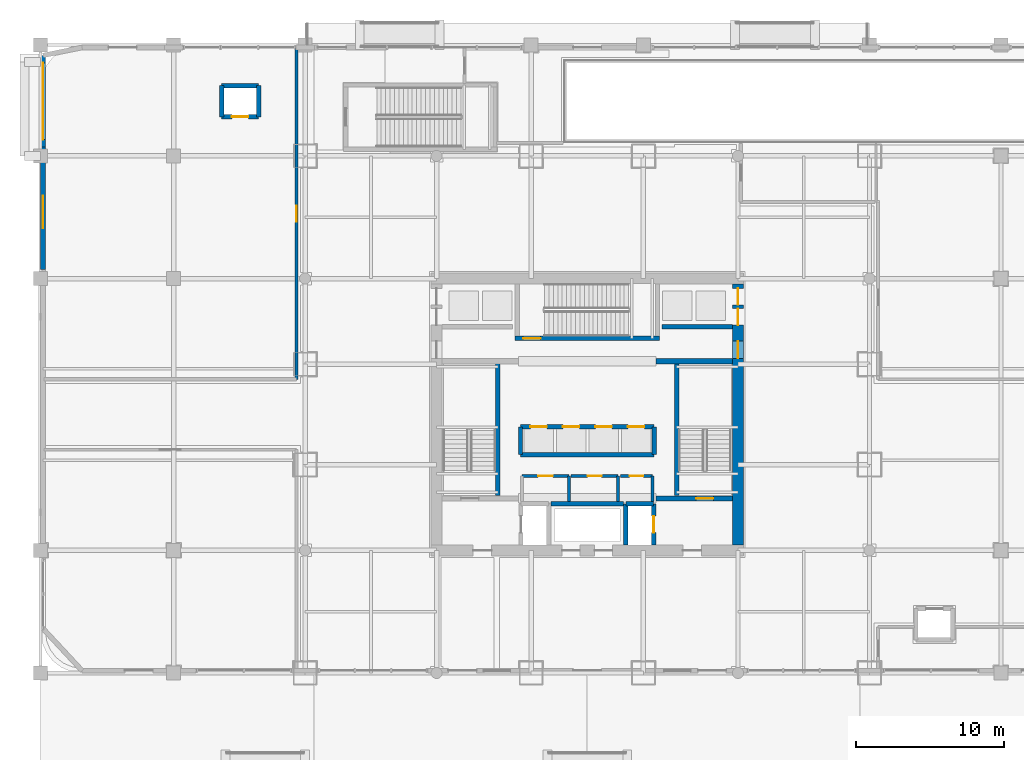
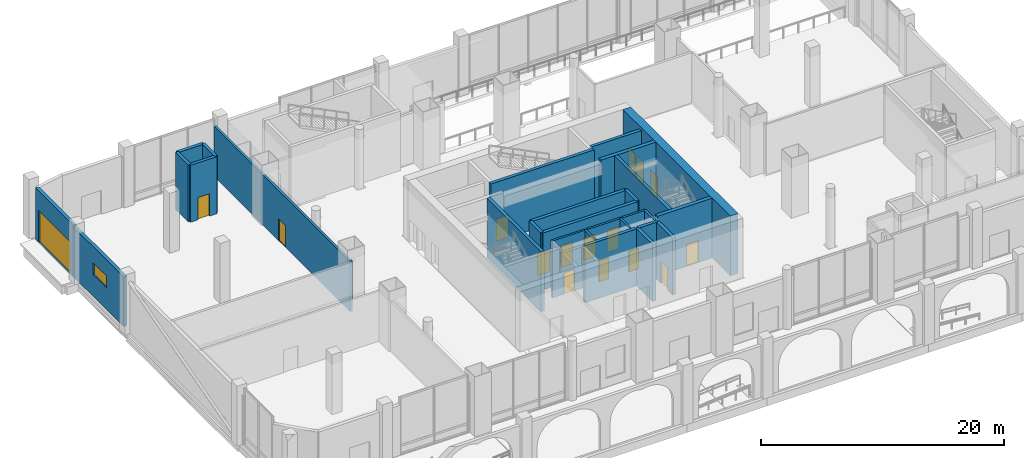
# One storey, part 22 of 32: 28 walls, 16 doors, 1 window, 17 openings.
"""IFC4 building model written with IfcOpenShell, lengths in metres."""

import ifcopenshell
import ifcopenshell.guid

model = None  # the IFC model being written
_history = None  # IfcOwnerHistory: only IFC2X3 demands one
_inside = {}  # id of a spatial element -> (the spatial element, [elements in it])
_under = {}  # id of a project, library or spatial element -> (it, [spatial elements below it])
_declared = {}  # id of a project -> (the project, [libraries it declares])
_typed = {}  # id of a type object -> (the type object, [elements of that type])
_made_of = {}  # id of a material, layer set ... -> (it, [elements and type objects made of it])


def new_model(schema):
    """Start an empty IFC model of exactly this schema.

    Asked for "IFC4X3", IfcOpenShell would pick the latest addendum, in which some entities
    have other attributes; the version numbers below select the first issue.
    IFC2X3 requires an IfcOwnerHistory on every rooted entity: one is made here for all.
    """
    global model, _history
    if schema == "IFC4X3":
        model = ifcopenshell.file(schema_version=(4, 3, 0, 0))
    else:
        model = ifcopenshell.file(schema=schema)
    _inside.clear()
    _under.clear()
    _declared.clear()
    _typed.clear()
    _made_of.clear()
    _history = None
    if model.schema == "IFC2X3":
        org = make("IfcOrganization", Name="unknown")
        user = make(
            "IfcPersonAndOrganization",
            ThePerson=make("IfcPerson", FamilyName="unknown"),
            TheOrganization=org,
        )
        app = make(
            "IfcApplication",
            ApplicationDeveloper=org,
            Version="unknown",
            ApplicationFullName="unknown",
            ApplicationIdentifier="unknown",
        )
        _history = make(
            "IfcOwnerHistory",
            OwningUser=user,
            OwningApplication=app,
            ChangeAction="ADDED",
            CreationDate=0,
        )
    return model


def make(cls, **values):
    """One entity of the class cls with the attributes given. An attribute that is None is left unset."""
    return model.create_entity(
        cls, **{name: value for name, value in values.items() if value is not None}
    )


def rooted(cls, **values):
    """An entity with a GlobalId (a new one), such as an element, a storey or a relation."""
    return make(cls, GlobalId=ifcopenshell.guid.new(), OwnerHistory=_history, **values)


def si_unit(unit_type, name, prefix=None):
    """IfcSIUnit, for example si_unit("LENGTHUNIT", "METRE", prefix="MILLI")."""
    return make("IfcSIUnit", UnitType=unit_type, Prefix=prefix, Name=name)


def assignment(units):
    """IfcUnitAssignment: the units of a project."""
    return None if units is None else make("IfcUnitAssignment", Units=units)


def point(xyz):
    """IfcCartesianPoint."""
    return None if xyz is None else make("IfcCartesianPoint", Coordinates=xyz)


def direction(xyz):
    """IfcDirection."""
    return None if xyz is None else make("IfcDirection", DirectionRatios=xyz)


def frame(location, z_axis=None, x_axis=None):
    """IfcAxis2Placement3D, a coordinate frame: its origin and axes. An axis left out is left unset."""
    return make(
        "IfcAxis2Placement3D",
        Location=point(location),
        Axis=direction(z_axis),
        RefDirection=direction(x_axis),
    )


def frame_2d(location, x_axis=None):
    """IfcAxis2Placement2D, a coordinate frame in the plane: its origin and x axis."""
    return make(
        "IfcAxis2Placement2D", Location=point(location), RefDirection=direction(x_axis)
    )


def origin():
    """The frame at (0, 0, 0) with its axes left unset."""
    return frame((0.0, 0.0, 0.0))


def place(relative_to, where):
    """IfcLocalPlacement: puts the frame where relative to a parent placement (None: the world)."""
    return make(
        "IfcLocalPlacement", PlacementRelTo=relative_to, RelativePlacement=where
    )


def context(
    kind, dimensions, precision=None, world=None, true_north=None, identifier=None
):
    """IfcGeometricRepresentationContext, for example the 3D "Model" context."""
    return make(
        "IfcGeometricRepresentationContext",
        ContextIdentifier=identifier,
        ContextType=kind,
        CoordinateSpaceDimension=dimensions,
        Precision=precision,
        WorldCoordinateSystem=world,
        TrueNorth=true_north,
    )


def subcontext(parent, identifier, kind, view, scale=None):
    """IfcGeometricRepresentationSubContext, for example "Body" below "Model"."""
    return make(
        "IfcGeometricRepresentationSubContext",
        ContextIdentifier=identifier,
        ContextType=kind,
        ParentContext=parent,
        TargetScale=scale,
        TargetView=view,
    )


def project(units=None, contexts=None):
    """IfcProject with its units and contexts."""
    return rooted(
        "IfcProject",
        Name="project",
        RepresentationContexts=contexts,
        UnitsInContext=assignment(units),
    )


def spatial(cls, under=None, at=None, **own):
    """A site, building, storey or space (cls), placed at a placement, below another one or the project."""
    s = rooted(cls, ObjectPlacement=at, **own)
    if under is not None:
        _under.setdefault(under.id(), (under, []))[1].append(s)
    return s


def profile(cls, at=None, kind="AREA", **sizes):
    """A parametric profile (cls). Its sizes go by their IFC names, for example OverallWidth=200.0."""
    return make(cls, ProfileType=kind, Position=at, **sizes)


def rectangle(**sizes):
    """IfcRectangleProfileDef."""
    return profile("IfcRectangleProfileDef", **sizes)


def extrude(swept, where, along, depth):
    """IfcExtrudedAreaSolid: the profile swept, set in the frame where, extruded along a direction by depth."""
    return make(
        "IfcExtrudedAreaSolid",
        SweptArea=swept,
        Position=where,
        ExtrudedDirection=direction(along),
        Depth=depth,
    )


def shape(context_of_items, identifier, shape_type, items):
    """IfcShapeRepresentation: the items that make up one representation, for example the "Body"."""
    return make(
        "IfcShapeRepresentation",
        ContextOfItems=context_of_items,
        RepresentationIdentifier=identifier,
        RepresentationType=shape_type,
        Items=items,
    )


def material(Name=None, Category=None):
    """IfcMaterial."""
    return make("IfcMaterial", Name=Name, Category=Category)


def layer(
    of_material, thickness, ventilated=None, Name=None, Category=None, Priority=None
):
    """IfcMaterialLayer: one layer of a wall or slab, of a material (None: an air gap)."""
    return make(
        "IfcMaterialLayer",
        Material=of_material,
        LayerThickness=thickness,
        IsVentilated=ventilated,
        Name=Name,
        Category=Category,
        Priority=Priority,
    )


def layer_set(layers, Name=None):
    """IfcMaterialLayerSet."""
    return make("IfcMaterialLayerSet", MaterialLayers=layers, LayerSetName=Name)


def made_of(thing, what):
    """Note that an element or type object is made of a material, layer set ...; save() writes the relation."""
    if what is not None:
        _made_of.setdefault(what.id(), (what, []))[1].append(thing)
    return thing


def type_object(cls, material=None, **own):
    """A type object (cls), such as IfcWallType, which elements share."""
    return made_of(rooted(cls, **own), material)


def element(
    cls,
    number,
    at=None,
    inside=None,
    cuts=None,
    type_object=None,
    material=None,
    context=None,
    identifier="Body",
    shape_type=None,
    held_by="IfcProductDefinitionShape",
    body=None,
    shapes=None,
    **own,
):
    """One element of the class cls, such as IfcWall. Its Tag is "e" and its number.

    at: its placement. inside: the storey or other place that contains it. cuts: it is an
    opening in that element (IfcRelVoidsElement). A single representation is given by context,
    identifier, shape_type and body (its items); several are given by shapes. held_by: the class
    of the entity that holds the representations. save() writes the other relations.
    """
    e = rooted(cls, Tag="e%d" % number, ObjectPlacement=at, **own)
    if body is not None:
        shapes = [shape(context, identifier, shape_type, body)]
    if shapes is not None:
        e.Representation = make(held_by, Representations=shapes)
    if inside is not None:
        _inside.setdefault(inside.id(), (inside, []))[1].append(e)
    if cuts is not None:
        rooted(
            "IfcRelVoidsElement", RelatingBuildingElement=cuts, RelatedOpeningElement=e
        )
    if type_object is not None:
        _typed.setdefault(type_object.id(), (type_object, []))[1].append(e)
    return made_of(e, material)


def fill(opening, filler):
    """IfcRelFillsElement: the door or window that sits in an opening."""
    return rooted(
        "IfcRelFillsElement",
        RelatingOpeningElement=opening,
        RelatedBuildingElement=filler,
    )


def aggregate(whole, parts):
    """IfcRelAggregates: a whole, such as a stair, and the parts it consists of."""
    return rooted("IfcRelAggregates", RelatingObject=whole, RelatedObjects=parts)


def save(model, path):
    """Write the relations noted so far, then the file.

    IfcRelAggregates (storeys below a building ...), IfcRelContainedInSpatialStructure (elements
    in a storey), IfcRelDefinesByType, IfcRelAssociatesMaterial and IfcRelDeclares: one each for
    every whole, place, type object, material and project.
    """
    for whole, parts in _under.values():
        aggregate(whole, parts)
    for where, things in _inside.values():
        rooted(
            "IfcRelContainedInSpatialStructure",
            RelatedElements=things,
            RelatingStructure=where,
        )
    for kind, things in _typed.values():
        rooted("IfcRelDefinesByType", RelatedObjects=things, RelatingType=kind)
    for what, things in _made_of.values():
        rooted("IfcRelAssociatesMaterial", RelatedObjects=things, RelatingMaterial=what)
    for by, libraries in _declared.values():
        rooted("IfcRelDeclares", RelatingContext=by, RelatedDefinitions=libraries)
    model.write(path)


model = new_model("IFC4")

# Units and contexts
model_context = context("Model", 3, precision=1e-05, world=origin(), true_north=direction((0.0, 1.0)))
body_context = subcontext(model_context, "Body", "Model", "MODEL_VIEW")
ifc_project = project(units=[si_unit("LENGTHUNIT", "METRE"), si_unit("AREAUNIT", "SQUARE_METRE"), si_unit("VOLUMEUNIT", "CUBIC_METRE"), si_unit("PLANEANGLEUNIT", "RADIAN"), si_unit("MASSUNIT", "GRAM", prefix="KILO")], contexts=[model_context])

# Site, building, storey
site_placement = place(None, origin())
site = spatial("IfcSite", under=ifc_project, at=site_placement, CompositionType="ELEMENT")
building_placement = place(site_placement, origin())
building = spatial("IfcBuilding", under=site, at=building_placement, Name="Punatoya Terracotta Tower", CompositionType="ELEMENT")
storey_placement = place(building_placement, origin())
storey = spatial("IfcBuildingStorey", under=building, at=storey_placement, Name="L00", CompositionType="ELEMENT", Elevation=0.0)

# Wall, openings, doors
ifc_material_1 = material(Name="Concrete C60/75", Category="concrete")
ifc_layer_1 = layer(ifc_material_1, 0.75)
ifc_layer_set_1 = layer_set([ifc_layer_1], Name="Concrete C60/75")
wall_type_1 = type_object("IfcWallType", Name="WL-COR-750", PredefinedType="SHEAR", material=ifc_layer_set_1)
wall_1_placement = place(storey_placement, frame((10.199951171875, 8.824951171875, 0.0), z_axis=(0.0, 0.0, 1.0), x_axis=(0.0, -1.0, 0.0)))
wall_1 = element("IfcWall", 1, at=wall_1_placement, inside=storey, type_object=wall_type_1, Name="L00 Core Shear Wall E", PredefinedType="SHEAR", context=body_context, shape_type="SweptSolid", body=[
    extrude(rectangle(XDim=17.64990234375, YDim=0.75, at=frame_2d((8.824951171875, 0.0))), origin(), (0.0, 0.0, 1.0), 6.0),
])
opening_1_placement = place(wall_1_placement, frame((3.85498046875, 0.0, 0.0)))
opening_1 = element("IfcOpeningElement", 2, at=opening_1_placement, cuts=wall_1, Name="Opening SD-01", PredefinedType="OPENING", context=body_context, shape_type="SweptSolid", body=[
    extrude(rectangle(XDim=1.179931640625, YDim=2.199951171875, at=frame_2d((0.58984375, 1.10009765625))), frame((0.0, 0.385009765625, 0.0), z_axis=(0.0, -1.0, 0.0), x_axis=(1.0, 0.0, 0.0)), (0.0, 0.0, 1.0), 0.77001953125),
])
opening_2_placement = place(wall_1_placement, frame((1.6650390625, 0.0, 0.0)))
opening_2 = element("IfcOpeningElement", 3, at=opening_2_placement, cuts=wall_1, Name="Opening LD-02", PredefinedType="OPENING", context=body_context, shape_type="SweptSolid", body=[
    extrude(rectangle(XDim=1.1201171875, YDim=2.25, at=frame_2d((0.56005859375, 1.125))), frame((0.0, 0.385009765625, 0.0), z_axis=(0.0, -1.0, 0.0), x_axis=(1.0, 0.0, 0.0)), (0.0, 0.0, 1.0), 0.77001953125),
])
opening_3_placement = place(wall_1_placement, frame((0.284912109375, 0.0, 0.0)))
opening_3 = element("IfcOpeningElement", 4, at=opening_3_placement, cuts=wall_1, Name="Opening LD-02", PredefinedType="OPENING", context=body_context, shape_type="SweptSolid", body=[
    extrude(rectangle(XDim=1.1201171875, YDim=2.25, at=frame_2d((0.56005859375, 1.125))), frame((0.0, 0.385009765625, 0.0), z_axis=(0.0, -1.0, 0.0), x_axis=(1.0, 0.0, 0.0)), (0.0, 0.0, 1.0), 0.77001953125),
])
ifc_material_2 = material(Name="Stainless Steel Lift Landing Door", Category="steel")
door_type_1 = type_object("IfcDoorType", Name="DR-LND-1120", OperationType="NOTDEFINED", PredefinedType="DOOR", material=ifc_material_2)
door_1_placement = place(opening_2_placement, origin())
door_1 = element("IfcDoor", 5, at=door_1_placement, inside=storey, type_object=door_type_1, Name="L00 Sky-Lobby Shuttle SL-2A Sliding Landing Door", OperationType="DOUBLE_DOOR_SLIDING", OverallHeight=2.25, OverallWidth=1.1201171875, PredefinedType="DOOR", context=body_context, shape_type="SweptSolid", body=[
    extrude(rectangle(XDim=1.1201171875, YDim=2.25, at=frame_2d((0.56005859375, 1.125))), frame((0.0, 0.02490234375, 0.0), z_axis=(0.0, -1.0, 0.0), x_axis=(1.0, 0.0, 0.0)), (0.0, 0.0, 1.0), 0.050048828125),
])
fill(opening_2, door_1)
door_2_placement = place(opening_3_placement, origin())
door_2 = element("IfcDoor", 6, at=door_2_placement, inside=storey, type_object=door_type_1, Name="L00 Sky-Lobby Shuttle SL-2B Sliding Landing Door", OperationType="DOUBLE_DOOR_SLIDING", OverallHeight=2.25, OverallWidth=1.1201171875, PredefinedType="DOOR", context=body_context, shape_type="SweptSolid", body=[
    extrude(rectangle(XDim=1.1201171875, YDim=2.25, at=frame_2d((0.56005859375, 1.125))), frame((0.0, 0.02490234375, 0.0), z_axis=(0.0, -1.0, 0.0), x_axis=(1.0, 0.0, 0.0)), (0.0, 0.0, 1.0), 0.050048828125),
])
fill(opening_3, door_2)
ifc_material_3 = material(Name="Galvanised Steel Pressurized Stair Fire Door", Category="steel")
door_type_2 = type_object("IfcDoorType", Name="DR-STR-1180", OperationType="NOTDEFINED", PredefinedType="DOOR", material=ifc_material_3)
door_3_placement = place(opening_1_placement, origin())
door_3 = element("IfcDoor", 7, at=door_3_placement, inside=storey, type_object=door_type_2, Name="L00 Central Lift Lobby East Fire Door", OperationType="SINGLE_SWING_RIGHT", OverallHeight=2.199951171875, OverallWidth=1.179931640625, PredefinedType="DOOR", context=body_context, shape_type="SweptSolid", body=[
    extrude(rectangle(XDim=1.179931640625, YDim=2.199951171875, at=frame_2d((0.58984375, 1.10009765625))), frame((0.0, 0.02490234375, 0.0), z_axis=(0.0, -1.0, 0.0), x_axis=(1.0, 0.0, 0.0)), (0.0, 0.0, 1.0), 0.050048828125),
])
fill(opening_1, door_3)

# Wall, opening, window
ifc_material_4 = material(Name="Precast concrete C40/50", Category="concrete")
ifc_layer_2 = layer(ifc_material_4, 0.320068359375)
ifc_layer_set_2 = layer_set([ifc_layer_2], Name="Precast concrete C40/50")
wall_type_2 = type_object("IfcWallType", Name="WL-EXT-320", PredefinedType="SOLIDWALL", material=ifc_layer_set_2)
wall_2_placement = place(storey_placement, frame((-36.840087890625, 9.820068359375, 0.0), z_axis=(0.0, 0.0, 1.0), x_axis=(0.0, 1.0, 0.0)))
wall_2 = element("IfcWall", 8, at=wall_2_placement, inside=storey, type_object=wall_type_2, Name="L00 West Loading Wall", PredefinedType="SOLIDWALL", context=body_context, shape_type="SweptSolid", body=[
    extrude(rectangle(XDim=8.280029296875, YDim=0.320068359375, at=frame_2d((4.14013671875, 0.0))), origin(), (0.0, 0.0, 1.0), 5.013916015625),
])
opening_4_placement = place(wall_2_placement, frame((2.800048828125, 0.0, 2.199951171875)))
opening_4 = element("IfcOpeningElement", 9, at=opening_4_placement, cuts=wall_2, Name="Opening WN-09", PredefinedType="OPENING", context=body_context, shape_type="SweptSolid", body=[
    extrude(rectangle(XDim=2.199951171875, YDim=1.199951171875, at=frame_2d((1.10009765625, 0.60009765625))), frame((0.0, 0.169921875, 0.0), z_axis=(0.0, -1.0, 0.0), x_axis=(1.0, 0.0, 0.0)), (0.0, 0.0, 1.0), 0.340087890625),
])
ifc_material_5 = material(Name="Aluminium 6063-T6 + Double Low-E Glass", Category="aluminium")
window_type = type_object("IfcWindowType", Name="WIN-CLR-2200", PartitioningType="SINGLE_PANEL", PredefinedType="WINDOW", material=ifc_material_5)
window_placement = place(opening_4_placement, origin())
window = element("IfcWindow", 10, at=window_placement, inside=storey, type_object=window_type, Name="L00 Loading Clerestory Window", OverallHeight=1.199951171875, OverallWidth=2.199951171875, PartitioningType="SINGLE_PANEL", PredefinedType="WINDOW", context=body_context, shape_type="SweptSolid", body=[
    extrude(rectangle(XDim=2.199951171875, YDim=1.199951171875, at=frame_2d((1.10009765625, 0.60009765625))), frame((0.0, 0.030029296875, 0.0), z_axis=(0.0, -1.0, 0.0), x_axis=(1.0, 0.0, 0.0)), (0.0, 0.0, 1.0), 0.06005859375),
])
fill(opening_4, window)

# Wall, opening, door
wall_3_placement = place(storey_placement, frame((-36.840087890625, 18.10009765625, 0.0), z_axis=(0.0, 0.0, 1.0), x_axis=(0.0, 1.0, 0.0)))
wall_3 = element("IfcWall", 11, at=wall_3_placement, inside=storey, type_object=wall_type_2, Name="L00 Loading Dock Roller-Shutter Wall", PredefinedType="SOLIDWALL", context=body_context, shape_type="SweptSolid", body=[
    extrude(rectangle(XDim=6.199951171875, YDim=0.320068359375, at=frame_2d((3.10009765625, 0.0))), origin(), (0.0, 0.0, 1.0), 5.1640625),
])
opening_5_placement = place(wall_3_placement, frame((0.5, 0.0, 0.0)))
opening_5 = element("IfcOpeningElement", 12, at=opening_5_placement, cuts=wall_3, Name="Opening VRS-1", PredefinedType="OPENING", context=body_context, shape_type="SweptSolid", body=[
    extrude(rectangle(XDim=5.199951171875, YDim=3.199951171875, at=frame_2d((2.60009765625, 1.60009765625))), frame((0.0, 0.169921875, 0.0), z_axis=(0.0, -1.0, 0.0), x_axis=(1.0, 0.0, 0.0)), (0.0, 0.0, 1.0), 0.340087890625),
])
ifc_material_6 = material(Name="Galvanised Steel Roller Shutter", Category="steel")
door_type_3 = type_object("IfcDoorType", Name="DR-SHU-5200", OperationType="NOTDEFINED", PredefinedType="GATE", material=ifc_material_6)
door_4_placement = place(opening_5_placement, origin())
door_4 = element("IfcDoor", 13, at=door_4_placement, inside=storey, type_object=door_type_3, Name="L00 Service Loading Dock Roller Shutter", OperationType="ROLLINGUP", OverallHeight=3.199951171875, OverallWidth=5.199951171875, PredefinedType="GATE", context=body_context, shape_type="SweptSolid", body=[
    extrude(rectangle(XDim=5.199951171875, YDim=3.199951171875, at=frame_2d((2.60009765625, 1.60009765625))), frame((0.0, 0.02490234375, 0.0), z_axis=(0.0, -1.0, 0.0), x_axis=(1.0, 0.0, 0.0)), (0.0, 0.0, 1.0), 0.050048828125),
])
fill(opening_5, door_4)

ifc_material_7 = material(Name="Concrete C40/50", Category="concrete")
ifc_layer_3 = layer(ifc_material_7, 0.219970703125)
ifc_layer_set_3 = layer_set([ifc_layer_3], Name="Concrete C40/50")
wall_type_3 = type_object("IfcWallType", Name="WL-FIR-220", PredefinedType="SOLIDWALL", material=ifc_layer_set_3)
wall_4_placement = place(storey_placement, frame((-19.679931640625, 24.780029296875, 0.0), z_axis=(0.0, 0.0, 1.0), x_axis=(0.0, -1.0, 0.0)))
wall_4 = element("IfcWall", 14, at=wall_4_placement, inside=storey, type_object=wall_type_3, Name="L00 Service Loading Dock and Marshalling Bay Partition 10", PredefinedType="SOLIDWALL", context=body_context, shape_type="SweptSolid", body=[
    extrude(rectangle(XDim=22.400146484375, YDim=0.219970703125, at=frame_2d((11.2001953125, 0.0))), origin(), (0.0, 0.0, 1.0), 5.013916015625),
])
opening_6_placement = place(wall_4_placement, frame((10.64990234375, 0.0, 0.0)))
opening_6 = element("IfcOpeningElement", 15, at=opening_6_placement, cuts=wall_4, Name="Opening FD-P1", PredefinedType="OPENING", context=body_context, shape_type="SweptSolid", body=[
    extrude(rectangle(XDim=1.10009765625, YDim=2.199951171875, at=frame_2d((0.550048828125, 1.10009765625))), frame((0.0, 0.119873046875, 0.0), z_axis=(0.0, -1.0, 0.0), x_axis=(1.0, 0.0, 0.0)), (0.0, 0.0, 1.0), 0.239990234375),
])
ifc_material_8 = material(Name="Galvanised Steel Plant Fire Door", Category="steel")
door_type_4 = type_object("IfcDoorType", Name="DR-PLT-1100", OperationType="NOTDEFINED", PredefinedType="DOOR", material=ifc_material_8)
door_5_placement = place(opening_6_placement, origin())
door_5 = element("IfcDoor", 16, at=door_5_placement, inside=storey, type_object=door_type_4, Name="L00 Service Loading Dock and Marshalling Bay Fire Door", OperationType="SINGLE_SWING_LEFT", OverallHeight=2.199951171875, OverallWidth=1.10009765625, PredefinedType="DOOR", context=body_context, shape_type="SweptSolid", body=[
    extrude(rectangle(XDim=1.10009765625, YDim=2.199951171875, at=frame_2d((0.550048828125, 1.10009765625))), frame((0.0, 0.02490234375, 0.0), z_axis=(0.0, -1.0, 0.0), x_axis=(1.0, 0.0, 0.0)), (0.0, 0.0, 1.0), 0.050048828125),
])
fill(opening_6, door_5)

# Wall
ifc_layer_4 = layer(ifc_material_7, 0.199951171875)
ifc_layer_set_4 = layer_set([ifc_layer_4], Name="Concrete C40/50")
wall_type_4 = type_object("IfcWallType", Name="WL-INT-200", PredefinedType="SOLIDWALL", material=ifc_layer_set_4)
wall_5_placement = place(storey_placement, frame((-1.25, -5.89990234375, 0.0), z_axis=(0.0, 0.0, 1.0), x_axis=(0.0, 1.0, 0.0)))
element("IfcWall", 17, at=wall_5_placement, inside=storey, type_object=wall_type_4, Name="L00 Accessible Universal Washroom Partition 01", PredefinedType="SOLIDWALL", context=body_context, shape_type="SweptSolid", body=[
    extrude(rectangle(XDim=1.739990234375, YDim=0.199951171875, at=frame_2d((0.8701171875, 0.0))), origin(), (0.0, 0.0, 1.0), 5.719970703125),
])

# Wall, opening, door
wall_6_placement = place(storey_placement, frame((-1.25, -4.159912109375, 0.0), z_axis=(0.0, 0.0, 1.0), x_axis=(-1.0, 0.0, 0.0)))
wall_6 = element("IfcWall", 18, at=wall_6_placement, inside=storey, type_object=wall_type_4, Name="L00 Accessible Universal Washroom Partition 02", PredefinedType="SOLIDWALL", context=body_context, shape_type="SweptSolid", body=[
    extrude(rectangle(XDim=3.169921875, YDim=0.199951171875, at=frame_2d((1.5849609375, 0.0))), origin(), (0.0, 0.0, 1.0), 5.719970703125),
])
opening_7_placement = place(wall_6_placement, frame((1.0849609375, 0.0, 0.0)))
opening_7 = element("IfcOpeningElement", 19, at=opening_7_placement, cuts=wall_6, Name="Opening AWD-1", PredefinedType="OPENING", context=body_context, shape_type="SweptSolid", body=[
    extrude(rectangle(XDim=1.0, YDim=2.14990234375, at=frame_2d((0.5, 1.074951171875))), frame((0.0, 0.10986328125, 0.0), z_axis=(0.0, -1.0, 0.0), x_axis=(1.0, 0.0, 0.0)), (0.0, 0.0, 1.0), 0.219970703125),
])
ifc_material_9 = material(Name="Bengal Teak Accessible WC Leaf")
door_type_5 = type_object("IfcDoorType", Name="DR-ACC-1000", OperationType="NOTDEFINED", PredefinedType="DOOR", material=ifc_material_9)
door_6_placement = place(opening_7_placement, origin())
door_6 = element("IfcDoor", 20, at=door_6_placement, inside=storey, type_object=door_type_5, Name="L00 Accessible Universal Washroom Door", OperationType="SINGLE_SWING_LEFT", OverallHeight=2.14990234375, OverallWidth=1.0, PredefinedType="DOOR", context=body_context, shape_type="SweptSolid", body=[
    extrude(rectangle(XDim=1.0, YDim=2.14990234375, at=frame_2d((0.5, 1.074951171875))), frame((0.0, 0.02490234375, 0.0), z_axis=(0.0, -1.0, 0.0), x_axis=(1.0, 0.0, 0.0)), (0.0, 0.0, 1.0), 0.050048828125),
])
fill(opening_7, door_6)

# Wall
wall_7_placement = place(storey_placement, frame((2.080078125, -5.89990234375, 0.0), z_axis=(0.0, 0.0, 1.0), x_axis=(0.0, 1.0, 0.0)))
element("IfcWall", 21, at=wall_7_placement, inside=storey, type_object=wall_type_4, Name="L00 All-Gender Universal Washroom Partition 04", PredefinedType="SOLIDWALL", context=body_context, shape_type="SweptSolid", body=[
    extrude(rectangle(XDim=1.739990234375, YDim=0.199951171875, at=frame_2d((0.8701171875, 0.0))), origin(), (0.0, 0.0, 1.0), 5.719970703125),
])

# Wall, opening, door
wall_8_placement = place(storey_placement, frame((2.080078125, -4.159912109375, 0.0), z_axis=(0.0, 0.0, 1.0), x_axis=(-1.0, 0.0, 0.0)))
wall_8 = element("IfcWall", 22, at=wall_8_placement, inside=storey, type_object=wall_type_4, Name="L00 All-Gender Universal Washroom Partition 05", PredefinedType="SOLIDWALL", context=body_context, shape_type="SweptSolid", body=[
    extrude(rectangle(XDim=3.170166015625, YDim=0.199951171875, at=frame_2d((1.5849609375, 0.0))), origin(), (0.0, 0.0, 1.0), 5.719970703125),
])
opening_8_placement = place(wall_8_placement, frame((1.110107421875, 0.0, 0.0)))
opening_8 = element("IfcOpeningElement", 23, at=opening_8_placement, cuts=wall_8, Name="Opening WD-01", PredefinedType="OPENING", context=body_context, shape_type="SweptSolid", body=[
    extrude(rectangle(XDim=0.949951171875, YDim=2.14990234375, at=frame_2d((0.47509765625, 1.074951171875))), frame((0.0, 0.10986328125, 0.0), z_axis=(0.0, -1.0, 0.0), x_axis=(1.0, 0.0, 0.0)), (0.0, 0.0, 1.0), 0.219970703125),
])
ifc_material_10 = material(Name="Moisture-Resistant Laminate Timber Leaf", Category="wood")
door_type_6 = type_object("IfcDoorType", Name="DR-WC-950", OperationType="NOTDEFINED", PredefinedType="DOOR", material=ifc_material_10)
door_7_placement = place(opening_8_placement, origin())
door_7 = element("IfcDoor", 24, at=door_7_placement, inside=storey, type_object=door_type_6, Name="L00 All-Gender Universal Washroom Door", OperationType="SINGLE_SWING_RIGHT", OverallHeight=2.14990234375, OverallWidth=0.949951171875, PredefinedType="DOOR", context=body_context, shape_type="SweptSolid", body=[
    extrude(rectangle(XDim=0.949951171875, YDim=2.14990234375, at=frame_2d((0.47509765625, 1.074951171875))), frame((0.0, 0.02490234375, 0.0), z_axis=(0.0, -1.0, 0.0), x_axis=(1.0, 0.0, 0.0)), (0.0, 0.0, 1.0), 0.050048828125),
])
fill(opening_8, door_7)

# Wall
wall_9_placement = place(storey_placement, frame((4.419921875, -5.89990234375, 0.0), z_axis=(0.0, 0.0, 1.0), x_axis=(0.0, 1.0, 0.0)))
element("IfcWall", 25, at=wall_9_placement, inside=storey, type_object=wall_type_4, Name="L00 Core Electrical Switchgear Room Partition 06", PredefinedType="SOLIDWALL", context=body_context, shape_type="SweptSolid", body=[
    extrude(rectangle(XDim=1.739990234375, YDim=0.199951171875, at=frame_2d((0.8701171875, 0.0))), origin(), (0.0, 0.0, 1.0), 5.719970703125),
])

# Wall, opening, door
wall_10_placement = place(storey_placement, frame((4.419921875, -4.159912109375, 0.0), z_axis=(0.0, 0.0, 1.0), x_axis=(-1.0, 0.0, 0.0)))
wall_10 = element("IfcWall", 26, at=wall_10_placement, inside=storey, type_object=wall_type_4, Name="L00 Core Electrical Switchgear Room Partition 07", PredefinedType="SOLIDWALL", context=body_context, shape_type="SweptSolid", body=[
    extrude(rectangle(XDim=2.179931640625, YDim=0.199951171875, at=frame_2d((1.08984375, 0.0))), origin(), (0.0, 0.0, 1.0), 5.719970703125),
])
opening_9_placement = place(wall_10_placement, frame((0.6298828125, 0.0, 0.0)))
opening_9 = element("IfcOpeningElement", 27, at=opening_9_placement, cuts=wall_10, Name="Opening FD-R1", PredefinedType="OPENING", context=body_context, shape_type="SweptSolid", body=[
    extrude(rectangle(XDim=0.919921875, YDim=2.10009765625, at=frame_2d((0.4599609375, 1.050048828125))), frame((0.0, 0.10986328125, 0.0), z_axis=(0.0, -1.0, 0.0), x_axis=(1.0, 0.0, 0.0)), (0.0, 0.0, 1.0), 0.219970703125),
])
ifc_material_11 = material(Name="Galvanised Steel Riser Fire Access Door", Category="steel")
door_type_7 = type_object("IfcDoorType", Name="DR-RSR-920", OperationType="NOTDEFINED", PredefinedType="DOOR", material=ifc_material_11)
door_8_placement = place(opening_9_placement, origin())
door_8 = element("IfcDoor", 28, at=door_8_placement, inside=storey, type_object=door_type_7, Name="L00 Core Electrical Switchgear Room Fire Door", OperationType="SINGLE_SWING_LEFT", OverallHeight=2.10009765625, OverallWidth=0.919921875, PredefinedType="DOOR", context=body_context, shape_type="SweptSolid", body=[
    extrude(rectangle(XDim=0.919921875, YDim=2.10009765625, at=frame_2d((0.4599609375, 1.050048828125))), frame((0.0, 0.02490234375, 0.0), z_axis=(0.0, -1.0, 0.0), x_axis=(1.0, 0.0, 0.0)), (0.0, 0.0, 1.0), 0.050048828125),
])
fill(opening_9, door_8)

# Walls
ifc_layer_5 = layer(ifc_material_7, 0.300048828125)
ifc_layer_set_5 = layer_set([ifc_layer_5], Name="Concrete C40/50")
wall_type_5 = type_object("IfcWallType", Name="WL-SHF-300", PredefinedType="SOLIDWALL", material=ifc_layer_set_5)
for number, where, z_axis, x_axis, name in (
    (29, (-6.050048828125, -5.5, 0.0), (0.0, 0.0, 1.0), (0.0, 1.0, 0.0), "L00 Structural Stair Shaft Wall SW-ST1-E"),
    (30, (6.050048828125, 3.449951171875, 0.0), (0.0, 0.0, 1.0), (0.0, -1.0, 0.0), "L00 Structural Stair Shaft Wall SW-ST2-W"),
):
    element("IfcWall", number, at=place(storey_placement, frame(where, z_axis=z_axis, x_axis=x_axis)), inside=storey, type_object=wall_type_5, Name=name, PredefinedType="SOLIDWALL", context=body_context, shape_type="SweptSolid", body=[
        extrude(rectangle(XDim=8.949951171875, YDim=0.300048828125, at=frame_2d((4.47509765625, 0.0))), origin(), (0.0, 0.0, 1.0), 6.0),
    ])

# Wall, opening, door
wall_11_placement = place(storey_placement, frame((-4.89990234375, 5.14990234375, 0.0), z_axis=(0.0, 0.0, 1.0), x_axis=(1.0, 0.0, 0.0)))
wall_11 = element("IfcWall", 31, at=wall_11_placement, inside=storey, type_object=wall_type_5, Name="L00 Structural Stair Shaft Wall SW-ST3-S", PredefinedType="SOLIDWALL", context=body_context, shape_type="SweptSolid", body=[
    extrude(rectangle(XDim=9.7998046875, YDim=0.300048828125, at=frame_2d((4.89990234375, 0.0))), origin(), (0.0, 0.0, 1.0), 6.0),
])
opening_10_placement = place(wall_11_placement, frame((0.56005859375, 0.0, 0.0)))
opening_10 = element("IfcOpeningElement", 32, at=opening_10_placement, cuts=wall_11, Name="Opening SD-01", PredefinedType="OPENING", context=body_context, shape_type="SweptSolid", body=[
    extrude(rectangle(XDim=1.179931640625, YDim=2.199951171875, at=frame_2d((0.58984375, 1.10009765625))), frame((0.0, 0.159912109375, 0.0), z_axis=(0.0, -1.0, 0.0), x_axis=(1.0, 0.0, 0.0)), (0.0, 0.0, 1.0), 0.320068359375),
])
door_9_placement = place(opening_10_placement, origin())
door_9 = element("IfcDoor", 33, at=door_9_placement, inside=storey, type_object=door_type_2, Name="L00 Stair ST-3 Core Lobby Fire Door", OperationType="SINGLE_SWING_LEFT", OverallHeight=2.199951171875, OverallWidth=1.179931640625, PredefinedType="DOOR", context=body_context, shape_type="SweptSolid", body=[
    extrude(rectangle(XDim=1.179931640625, YDim=2.199951171875, at=frame_2d((0.58984375, 1.10009765625))), frame((0.0, 0.02490234375, 0.0), z_axis=(0.0, -1.0, 0.0), x_axis=(1.0, 0.0, 0.0)), (0.0, 0.0, 1.0), 0.050048828125),
])
fill(opening_10, door_9)

wall_12_placement = place(storey_placement, frame((4.489990234375, -8.820068359375, 0.0), z_axis=(0.0, 0.0, 1.0), x_axis=(0.0, 1.0, 0.0)))
wall_12 = element("IfcWall", 34, at=wall_12_placement, inside=storey, type_object=wall_type_5, Name="L00 FFL-2 Front Hoistway Wall", PredefinedType="SOLIDWALL", context=body_context, shape_type="SweptSolid", body=[
    extrude(rectangle(XDim=2.77001953125, YDim=0.300048828125, at=frame_2d((1.385009765625, 0.0))), origin(), (0.0, 0.0, 1.0), 5.719970703125),
])
opening_11_placement = place(wall_12_placement, frame((0.824951171875, 0.0, 0.0)))
opening_11 = element("IfcOpeningElement", 35, at=opening_11_placement, cuts=wall_12, Name="Opening LD-02", PredefinedType="OPENING", context=body_context, shape_type="SweptSolid", body=[
    extrude(rectangle(XDim=1.1201171875, YDim=2.25, at=frame_2d((0.56005859375, 1.125))), frame((0.0, 0.159912109375, 0.0), z_axis=(0.0, -1.0, 0.0), x_axis=(1.0, 0.0, 0.0)), (0.0, 0.0, 1.0), 0.320068359375),
])
door_10_placement = place(opening_11_placement, origin())
door_10 = element("IfcDoor", 36, at=door_10_placement, inside=storey, type_object=door_type_1, Name="L00 Firefighting Lift FFL-2 Sliding Landing Door", OperationType="SLIDING_TO_RIGHT", OverallHeight=2.25, OverallWidth=1.1201171875, PredefinedType="DOOR", context=body_context, shape_type="SweptSolid", body=[
    extrude(rectangle(XDim=1.1201171875, YDim=2.25, at=frame_2d((0.56005859375, 1.125))), frame((0.0, 0.02490234375, 0.0), z_axis=(0.0, -1.0, 0.0), x_axis=(1.0, 0.0, 0.0)), (0.0, 0.0, 1.0), 0.050048828125),
])
fill(opening_11, door_10)

# Walls
wall_13_placement = place(storey_placement, frame((2.610107421875, -8.820068359375, 0.0), z_axis=(0.0, 0.0, 1.0), x_axis=(0.0, 1.0, 0.0)))
element("IfcWall", 37, at=wall_13_placement, inside=storey, type_object=wall_type_5, Name="L00 FFL-2 Rear Hoistway Wall", PredefinedType="SOLIDWALL", context=body_context, shape_type="SweptSolid", body=[
    extrude(rectangle(XDim=2.77001953125, YDim=0.300048828125, at=frame_2d((1.385009765625, 0.0))), origin(), (0.0, 0.0, 1.0), 5.719970703125),
])
wall_14_placement = place(storey_placement, frame((2.610107421875, -6.050048828125, 0.0), z_axis=(0.0, 0.0, 1.0), x_axis=(1.0, 0.0, 0.0)))
element("IfcWall", 38, at=wall_14_placement, inside=storey, type_object=wall_type_5, Name="L00 FFL-2 North Hoistway Wall", PredefinedType="SOLIDWALL", context=body_context, shape_type="SweptSolid", body=[
    extrude(rectangle(XDim=1.8798828125, YDim=0.300048828125, at=frame_2d((0.93994140625, 0.0))), origin(), (0.0, 0.0, 1.0), 5.719970703125),
])

# Wall, openings, doors
wall_15_placement = place(storey_placement, frame((-4.52001953125, -0.840087890625, 0.0), z_axis=(0.0, 0.0, 1.0), x_axis=(1.0, 0.0, 0.0)))
wall_15 = element("IfcWall", 39, at=wall_15_placement, inside=storey, type_object=wall_type_5, Name="L00 South Lift Bank Front Shaft Wall", PredefinedType="SOLIDWALL", context=body_context, shape_type="SweptSolid", body=[
    extrude(rectangle(XDim=9.0400390625, YDim=0.300048828125, at=frame_2d((4.52001953125, 0.0))), origin(), (0.0, 0.0, 1.0), 5.719970703125),
])
opening_12_placement = place(wall_15_placement, frame((0.659912109375, 0.0, 0.0)))
opening_12 = element("IfcOpeningElement", 40, at=opening_12_placement, cuts=wall_15, Name="Opening LD-02", PredefinedType="OPENING", context=body_context, shape_type="SweptSolid", body=[
    extrude(rectangle(XDim=1.1201171875, YDim=2.25, at=frame_2d((0.56005859375, 1.125))), frame((0.0, 0.159912109375, 0.0), z_axis=(0.0, -1.0, 0.0), x_axis=(1.0, 0.0, 0.0)), (0.0, 0.0, 1.0), 0.320068359375),
])
opening_13_placement = place(wall_15_placement, frame((2.860107421875, 0.0, 0.0)))
opening_13 = element("IfcOpeningElement", 41, at=opening_13_placement, cuts=wall_15, Name="Opening LD-02", PredefinedType="OPENING", context=body_context, shape_type="SweptSolid", body=[
    extrude(rectangle(XDim=1.1201171875, YDim=2.25, at=frame_2d((0.56005859375, 1.125))), frame((0.0, 0.159912109375, 0.0), z_axis=(0.0, -1.0, 0.0), x_axis=(1.0, 0.0, 0.0)), (0.0, 0.0, 1.0), 0.320068359375),
])
opening_14_placement = place(wall_15_placement, frame((5.06005859375, 0.0, 0.0)))
opening_14 = element("IfcOpeningElement", 42, at=opening_14_placement, cuts=wall_15, Name="Opening LD-02", PredefinedType="OPENING", context=body_context, shape_type="SweptSolid", body=[
    extrude(rectangle(XDim=1.1201171875, YDim=2.25, at=frame_2d((0.56005859375, 1.125))), frame((0.0, 0.159912109375, 0.0), z_axis=(0.0, -1.0, 0.0), x_axis=(1.0, 0.0, 0.0)), (0.0, 0.0, 1.0), 0.320068359375),
])
opening_15_placement = place(wall_15_placement, frame((7.260009765625, 0.0, 0.0)))
opening_15 = element("IfcOpeningElement", 43, at=opening_15_placement, cuts=wall_15, Name="Opening LD-02", PredefinedType="OPENING", context=body_context, shape_type="SweptSolid", body=[
    extrude(rectangle(XDim=1.1201171875, YDim=2.25, at=frame_2d((0.56005859375, 1.125))), frame((0.0, 0.159912109375, 0.0), z_axis=(0.0, -1.0, 0.0), x_axis=(1.0, 0.0, 0.0)), (0.0, 0.0, 1.0), 0.320068359375),
])
door_11_placement = place(opening_12_placement, origin())
door_11 = element("IfcDoor", 44, at=door_11_placement, inside=storey, type_object=door_type_1, Name="L00 Lift PL-L1 Sliding Landing Door", OperationType="DOUBLE_DOOR_SLIDING", OverallHeight=2.25, OverallWidth=1.1201171875, PredefinedType="DOOR", context=body_context, shape_type="SweptSolid", body=[
    extrude(rectangle(XDim=1.1201171875, YDim=2.25, at=frame_2d((0.56005859375, 1.125))), frame((0.0, 0.02490234375, 0.0), z_axis=(0.0, -1.0, 0.0), x_axis=(1.0, 0.0, 0.0)), (0.0, 0.0, 1.0), 0.050048828125),
])
fill(opening_12, door_11)
door_12_placement = place(opening_13_placement, origin())
door_12 = element("IfcDoor", 45, at=door_12_placement, inside=storey, type_object=door_type_1, Name="L00 Lift PL-L2 Sliding Landing Door", OperationType="DOUBLE_DOOR_SLIDING", OverallHeight=2.25, OverallWidth=1.1201171875, PredefinedType="DOOR", context=body_context, shape_type="SweptSolid", body=[
    extrude(rectangle(XDim=1.1201171875, YDim=2.25, at=frame_2d((0.56005859375, 1.125))), frame((0.0, 0.02490234375, 0.0), z_axis=(0.0, -1.0, 0.0), x_axis=(1.0, 0.0, 0.0)), (0.0, 0.0, 1.0), 0.050048828125),
])
fill(opening_13, door_12)
door_13_placement = place(opening_14_placement, origin())
door_13 = element("IfcDoor", 46, at=door_13_placement, inside=storey, type_object=door_type_1, Name="L00 Lift PL-L3 Sliding Landing Door", OperationType="DOUBLE_DOOR_SLIDING", OverallHeight=2.25, OverallWidth=1.1201171875, PredefinedType="DOOR", context=body_context, shape_type="SweptSolid", body=[
    extrude(rectangle(XDim=1.1201171875, YDim=2.25, at=frame_2d((0.56005859375, 1.125))), frame((0.0, 0.02490234375, 0.0), z_axis=(0.0, -1.0, 0.0), x_axis=(1.0, 0.0, 0.0)), (0.0, 0.0, 1.0), 0.050048828125),
])
fill(opening_14, door_13)
door_14_placement = place(opening_15_placement, origin())
door_14 = element("IfcDoor", 47, at=door_14_placement, inside=storey, type_object=door_type_1, Name="L00 Lift PL-L4 Sliding Landing Door", OperationType="DOUBLE_DOOR_SLIDING", OverallHeight=2.25, OverallWidth=1.1201171875, PredefinedType="DOOR", context=body_context, shape_type="SweptSolid", body=[
    extrude(rectangle(XDim=1.1201171875, YDim=2.25, at=frame_2d((0.56005859375, 1.125))), frame((0.0, 0.02490234375, 0.0), z_axis=(0.0, -1.0, 0.0), x_axis=(1.0, 0.0, 0.0)), (0.0, 0.0, 1.0), 0.050048828125),
])
fill(opening_15, door_14)

# Walls
wall_16_placement = place(storey_placement, frame((-4.52001953125, -2.719970703125, 0.0), z_axis=(0.0, 0.0, 1.0), x_axis=(1.0, 0.0, 0.0)))
element("IfcWall", 48, at=wall_16_placement, inside=storey, type_object=wall_type_5, Name="L00 South Lift Bank Rear Shaft Wall", PredefinedType="SOLIDWALL", context=body_context, shape_type="SweptSolid", body=[
    extrude(rectangle(XDim=9.0400390625, YDim=0.300048828125, at=frame_2d((4.52001953125, 0.0))), origin(), (0.0, 0.0, 1.0), 5.719970703125),
])
for number, where, z_axis, x_axis, name in (
    (49, (-4.52001953125, -2.719970703125, 0.0), (0.0, 0.0, 1.0), (0.0, 1.0, 0.0), "L00 South Lift Bank West End Wall"),
    (50, (4.52001953125, -2.719970703125, 0.0), (0.0, 0.0, 1.0), (0.0, 1.0, 0.0), "L00 South Lift Bank East End Wall"),
):
    element("IfcWall", number, at=place(storey_placement, frame(where, z_axis=z_axis, x_axis=x_axis)), inside=storey, type_object=wall_type_5, Name=name, PredefinedType="SOLIDWALL", context=body_context, shape_type="SweptSolid", body=[
        extrude(rectangle(XDim=1.8798828125, YDim=0.300048828125, at=frame_2d((0.93994140625, 0.0))), origin(), (0.0, 0.0, 1.0), 5.719970703125),
    ])
wall_17_placement = place(storey_placement, frame((5.06005859375, 5.949951171875, 0.0), z_axis=(0.0, 0.0, 1.0), x_axis=(1.0, 0.0, 0.0)))
element("IfcWall", 51, at=wall_17_placement, inside=storey, type_object=wall_type_5, Name="L00 Shuttle SL-2 South Hoistway Wall", PredefinedType="SOLIDWALL", context=body_context, shape_type="SweptSolid", body=[
    extrude(rectangle(XDim=4.760009765625, YDim=0.300048828125, at=frame_2d((2.3798828125, 0.0))), origin(), (0.0, 0.0, 1.0), 5.719970703125),
])
wall_18_placement = place(storey_placement, frame((-2.449951171875, -6.050048828125, 0.0), z_axis=(0.0, 0.0, 1.0), x_axis=(1.0, 0.0, 0.0)))
element("IfcWall", 52, at=wall_18_placement, inside=storey, type_object=wall_type_5, Name="L00 Observation Shuttle Rear Hoistway Wall", PredefinedType="SOLIDWALL", context=body_context, shape_type="SweptSolid", body=[
    extrude(rectangle(XDim=4.89990234375, YDim=0.300048828125, at=frame_2d((2.449951171875, 0.0))), origin(), (0.0, 0.0, 1.0), 5.719970703125),
])

# Wall, opening, door
wall_19_placement = place(storey_placement, frame((-24.75, 20.14990234375, 0.0), z_axis=(0.0, 0.0, 1.0), x_axis=(1.0, 0.0, 0.0)))
wall_19 = element("IfcWall", 53, at=wall_19_placement, inside=storey, type_object=wall_type_5, Name="L00 Podium Lift PL-P1 Front Wall", PredefinedType="SOLIDWALL", context=body_context, shape_type="SweptSolid", body=[
    extrude(rectangle(XDim=2.5, YDim=0.300048828125, at=frame_2d((1.25, 0.0))), origin(), (0.0, 0.0, 1.0), 5.719970703125),
])
opening_16_placement = place(wall_19_placement, frame((0.68994140625, 0.0, 0.0)))
opening_16 = element("IfcOpeningElement", 54, at=opening_16_placement, cuts=wall_19, Name="Opening LD-02", PredefinedType="OPENING", context=body_context, shape_type="SweptSolid", body=[
    extrude(rectangle(XDim=1.1201171875, YDim=2.25, at=frame_2d((0.56005859375, 1.125))), frame((0.0, 0.159912109375, 0.0), z_axis=(0.0, -1.0, 0.0), x_axis=(1.0, 0.0, 0.0)), (0.0, 0.0, 1.0), 0.320068359375),
])
door_15_placement = place(opening_16_placement, origin())
door_15 = element("IfcDoor", 55, at=door_15_placement, inside=storey, type_object=door_type_1, Name="L00 Podium Lift PL-P1 Sliding Landing Door", OperationType="DOUBLE_DOOR_SLIDING", OverallHeight=2.25, OverallWidth=1.1201171875, PredefinedType="DOOR", context=body_context, shape_type="SweptSolid", body=[
    extrude(rectangle(XDim=1.1201171875, YDim=2.25, at=frame_2d((0.56005859375, 1.125))), frame((0.0, 0.02490234375, 0.0), z_axis=(0.0, -1.0, 0.0), x_axis=(1.0, 0.0, 0.0)), (0.0, 0.0, 1.0), 0.050048828125),
])
fill(opening_16, door_15)

# Walls
wall_20_placement = place(storey_placement, frame((-24.75, 22.25, 0.0), z_axis=(0.0, 0.0, 1.0), x_axis=(1.0, 0.0, 0.0)))
element("IfcWall", 56, at=wall_20_placement, inside=storey, type_object=wall_type_5, Name="L00 Podium Lift PL-P1 Rear Wall", PredefinedType="SOLIDWALL", context=body_context, shape_type="SweptSolid", body=[
    extrude(rectangle(XDim=2.5, YDim=0.300048828125, at=frame_2d((1.25, 0.0))), origin(), (0.0, 0.0, 1.0), 5.719970703125),
])
for number, where, z_axis, x_axis, name in (
    (57, (-24.75, 20.14990234375, 0.0), (0.0, 0.0, 1.0), (0.0, 1.0, 0.0), "L00 Podium Lift PL-P1 West Wall"),
    (58, (-22.25, 20.14990234375, 0.0), (0.0, 0.0, 1.0), (0.0, 1.0, 0.0), "L00 Podium Lift PL-P1 East Wall"),
):
    element("IfcWall", number, at=place(storey_placement, frame(where, z_axis=z_axis, x_axis=x_axis)), inside=storey, type_object=wall_type_5, Name=name, PredefinedType="SOLIDWALL", context=body_context, shape_type="SweptSolid", body=[
        extrude(rectangle(XDim=2.10009765625, YDim=0.300048828125, at=frame_2d((1.050048828125, 0.0))), origin(), (0.0, 0.0, 1.0), 5.719970703125),
    ])

# Wall, opening, door
ifc_material_12 = material(Name="Concrete C50/60", Category="concrete")
ifc_layer_6 = layer(ifc_material_12, 0.35009765625)
ifc_layer_set_6 = layer_set([ifc_layer_6], Name="Concrete C50/60")
wall_type_6 = type_object("IfcWallType", Name="WL-SHF-350", PredefinedType="SOLIDWALL", material=ifc_layer_set_6)
wall_21_placement = place(storey_placement, frame((4.64990234375, -5.679931640625, 0.0), z_axis=(0.0, 0.0, 1.0), x_axis=(1.0, 0.0, 0.0)))
wall_21 = element("IfcWall", 59, at=wall_21_placement, inside=storey, type_object=wall_type_6, Name="L00 Core Web Wall CSW-R", PredefinedType="SOLIDWALL", context=body_context, shape_type="SweptSolid", body=[
    extrude(rectangle(XDim=5.175048828125, YDim=0.35009765625, at=frame_2d((2.58740234375, 0.0))), origin(), (0.0, 0.0, 1.0), 6.0),
])
opening_17_placement = place(wall_21_placement, frame((2.7099609375, 0.0, 0.0)))
opening_17 = element("IfcOpeningElement", 60, at=opening_17_placement, cuts=wall_21, Name="Opening SD-01", PredefinedType="OPENING", context=body_context, shape_type="SweptSolid", body=[
    extrude(rectangle(XDim=1.179931640625, YDim=2.199951171875, at=frame_2d((0.58984375, 1.10009765625))), frame((0.0, 0.18505859375, 0.0), z_axis=(0.0, -1.0, 0.0), x_axis=(1.0, 0.0, 0.0)), (0.0, 0.0, 1.0), 0.3701171875),
])
door_16_placement = place(opening_17_placement, origin())
door_16 = element("IfcDoor", 61, at=door_16_placement, inside=storey, type_object=door_type_2, Name="L00 Stair ST-2 Smokeproof Lobby Fire Door", OperationType="SINGLE_SWING_RIGHT", OverallHeight=2.199951171875, OverallWidth=1.179931640625, PredefinedType="DOOR", context=body_context, shape_type="SweptSolid", body=[
    extrude(rectangle(XDim=1.179931640625, YDim=2.199951171875, at=frame_2d((0.58984375, 1.10009765625))), frame((0.0, 0.02490234375, 0.0), z_axis=(0.0, -1.0, 0.0), x_axis=(1.0, 0.0, 0.0)), (0.0, 0.0, 1.0), 0.050048828125),
])
fill(opening_17, door_16)

# Wall
wall_22_placement = place(storey_placement, frame((4.64990234375, 3.60009765625, 0.0), z_axis=(0.0, 0.0, 1.0), x_axis=(1.0, 0.0, 0.0)))
element("IfcWall", 62, at=wall_22_placement, inside=storey, type_object=wall_type_6, Name="L00 Core Web Wall CNW-R", PredefinedType="SOLIDWALL", context=body_context, shape_type="SweptSolid", body=[
    extrude(rectangle(XDim=5.175048828125, YDim=0.35009765625, at=frame_2d((2.58740234375, 0.0))), origin(), (0.0, 0.0, 1.0), 6.0),
])

save(model, "model.ifc")
